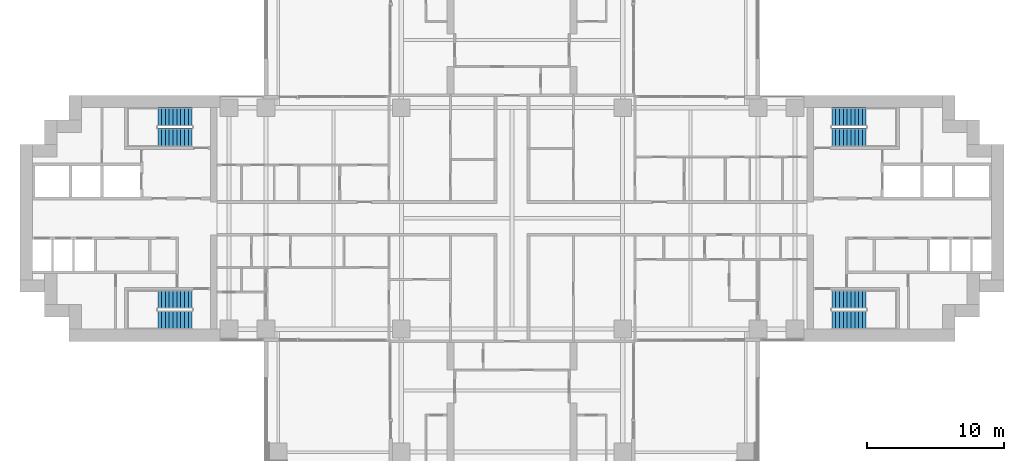
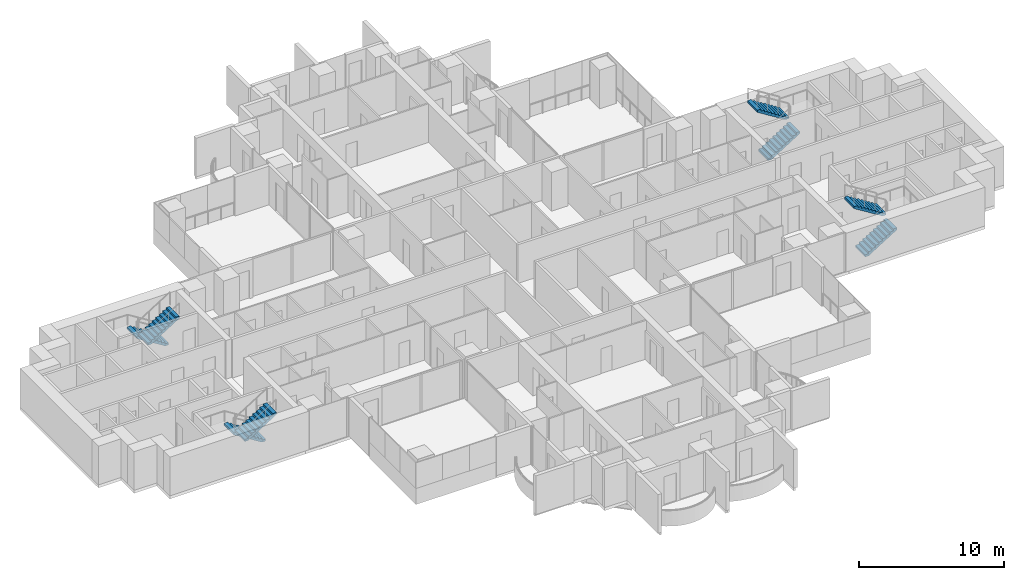
# One storey, part 17 of 21: 8 stair flights, 4 elements without a shape of their own.
"""IFC4 building model written with IfcOpenShell, lengths in metres."""

from ifc_helpers import new_model, si_unit, direction, frame, origin, place, context, subcontext, project, spatial, polyline, outline, extrude, material, type_object, element, aggregate, save


model = new_model("IFC4")

# Units and contexts
model_context = context("Model", 3, precision=1e-05, world=origin(), true_north=direction((0.0, 1.0)))
body_context = subcontext(model_context, "Body", "Model", "MODEL_VIEW")
ifc_project = project(units=[si_unit("LENGTHUNIT", "METRE"), si_unit("AREAUNIT", "SQUARE_METRE"), si_unit("VOLUMEUNIT", "CUBIC_METRE"), si_unit("PLANEANGLEUNIT", "RADIAN"), si_unit("MASSUNIT", "GRAM", prefix="KILO")], contexts=[model_context])

# Site, building, storey
site_placement = place(None, origin())
site = spatial("IfcSite", under=ifc_project, at=site_placement, CompositionType="ELEMENT")
building_placement = place(site_placement, origin())
building = spatial("IfcBuilding", under=site, at=building_placement, Name="Perihelion Cross Residences", CompositionType="ELEMENT")
storey_placement = place(building_placement, frame((0.0, 0.0, 64.5)))
storey = spatial("IfcBuildingStorey", under=building, at=storey_placement, Name="L13", CompositionType="ELEMENT", Elevation=64.5)

# Stair, stair flights
ifc_material_1 = material(Name="Concrete C40/50", Category="concrete")
stair_type = type_object("IfcStairType", Name="Exit stair, half-turn", PredefinedType="HALF_TURN_STAIR", material=ifc_material_1)
stair_1_placement = place(storey_placement, origin())
stair_1 = element("IfcStair", 1, at=stair_1_placement, inside=storey, type_object=stair_type, Name="L13 East core exit stair 1", PredefinedType="HALF_TURN_STAIR")
ifc_material_2 = material(Name="Concrete C40/50", Category="concrete")
stair_flight_type = type_object("IfcStairFlightType", Name="Exit stair flight", PredefinedType="STRAIGHT", material=ifc_material_2)
stair_flight_1_placement = place(storey_placement, frame((23.39990234375, 5.925048828125, 0.0), z_axis=(0.0, 0.0, 1.0), x_axis=(1.0, 0.0, 0.0)))
stair_flight_1 = element("IfcStairFlight", 2, at=stair_flight_1_placement, type_object=stair_flight_type, Name="ST-E1 flight 1", NumberOfRisers=10, NumberOfTreads=9, PredefinedType="STRAIGHT", RiserHeight=0.175, TreadLength=0.28, context=body_context, shape_type="SweptSolid", body=[
    extrude(outline(polyline([(0.0, 0.0), (0.0, 0.175048828125), (0.280029296875, 0.175048828125), (0.280029296875, 0.35009765625), (0.56005859375, 0.35009765625), (0.56005859375, 0.52490234375), (0.840087890625, 0.52490234375), (0.840087890625, 0.699951171875), (1.1201171875, 0.699951171875), (1.1201171875, 0.875), (1.39990234375, 0.875), (1.39990234375, 1.050048828125), (1.679931640625, 1.050048828125), (1.679931640625, 1.22509765625), (1.9599609375, 1.22509765625), (1.9599609375, 1.39990234375), (2.239990234375, 1.39990234375), (2.239990234375, 1.574951171875), (2.52001953125, 1.574951171875), (2.52001953125, 1.75), (2.52001953125, 1.398193359375), (0.28271484375, 0.0), (0.0, 0.0)])), frame((0.0, 0.675048828125, 0.0), z_axis=(0.0, -1.0, 0.0), x_axis=(1.0, 0.0, 0.0)), (0.0, 0.0, 1.0), 1.35009765625),
])
stair_flight_2_placement = place(storey_placement, frame((25.919921875, 7.425048828125, 1.75), z_axis=(0.0, 0.0, 1.0), x_axis=(-1.0, 0.0, 0.0)))
stair_flight_2 = element("IfcStairFlight", 3, at=stair_flight_2_placement, type_object=stair_flight_type, Name="ST-E1 flight 2", NumberOfRisers=10, NumberOfTreads=9, PredefinedType="STRAIGHT", RiserHeight=0.175, TreadLength=0.28, context=body_context, shape_type="SweptSolid", body=[
    extrude(outline(polyline([(0.0, 0.0), (0.0, 0.175048828125), (0.280029296875, 0.175048828125), (0.280029296875, 0.35009765625), (0.56005859375, 0.35009765625), (0.56005859375, 0.52490234375), (0.840087890625, 0.52490234375), (0.840087890625, 0.699951171875), (1.1201171875, 0.699951171875), (1.1201171875, 0.875), (1.39990234375, 0.875), (1.39990234375, 1.050048828125), (1.679931640625, 1.050048828125), (1.679931640625, 1.22509765625), (1.9599609375, 1.22509765625), (1.9599609375, 1.39990234375), (2.239990234375, 1.39990234375), (2.239990234375, 1.574951171875), (2.52001953125, 1.574951171875), (2.52001953125, 1.75), (2.52001953125, 1.398193359375), (0.28271484375, 0.0), (0.0, 0.0)])), frame((0.0, 0.675048828125, 0.0), z_axis=(0.0, -1.0, 0.0), x_axis=(1.0, 0.0, 0.0)), (0.0, 0.0, 1.0), 1.35009765625),
])
aggregate(stair_1, [stair_flight_1, stair_flight_2])

stair_2_placement = place(storey_placement, origin())
stair_2 = element("IfcStair", 4, at=stair_2_placement, inside=storey, type_object=stair_type, Name="L13 East core exit stair 2", PredefinedType="HALF_TURN_STAIR")
stair_flight_3_placement = place(storey_placement, frame((23.39990234375, -7.425048828125, 0.0), z_axis=(0.0, 0.0, 1.0), x_axis=(1.0, 0.0, 0.0)))
stair_flight_3 = element("IfcStairFlight", 5, at=stair_flight_3_placement, type_object=stair_flight_type, Name="ST-E2 flight 1", NumberOfRisers=10, NumberOfTreads=9, PredefinedType="STRAIGHT", RiserHeight=0.175, TreadLength=0.28, context=body_context, shape_type="SweptSolid", body=[
    extrude(outline(polyline([(0.0, 0.0), (0.0, 0.175048828125), (0.280029296875, 0.175048828125), (0.280029296875, 0.35009765625), (0.56005859375, 0.35009765625), (0.56005859375, 0.52490234375), (0.840087890625, 0.52490234375), (0.840087890625, 0.699951171875), (1.1201171875, 0.699951171875), (1.1201171875, 0.875), (1.39990234375, 0.875), (1.39990234375, 1.050048828125), (1.679931640625, 1.050048828125), (1.679931640625, 1.22509765625), (1.9599609375, 1.22509765625), (1.9599609375, 1.39990234375), (2.239990234375, 1.39990234375), (2.239990234375, 1.574951171875), (2.52001953125, 1.574951171875), (2.52001953125, 1.75), (2.52001953125, 1.398193359375), (0.28271484375, 0.0), (0.0, 0.0)])), frame((0.0, 0.675048828125, 0.0), z_axis=(0.0, -1.0, 0.0), x_axis=(1.0, 0.0, 0.0)), (0.0, 0.0, 1.0), 1.35009765625),
])
stair_flight_4_placement = place(storey_placement, frame((25.919921875, -5.925048828125, 1.75), z_axis=(0.0, 0.0, 1.0), x_axis=(-1.0, 0.0, 0.0)))
stair_flight_4 = element("IfcStairFlight", 6, at=stair_flight_4_placement, type_object=stair_flight_type, Name="ST-E2 flight 2", NumberOfRisers=10, NumberOfTreads=9, PredefinedType="STRAIGHT", RiserHeight=0.175, TreadLength=0.28, context=body_context, shape_type="SweptSolid", body=[
    extrude(outline(polyline([(0.0, 0.0), (0.0, 0.175048828125), (0.280029296875, 0.175048828125), (0.280029296875, 0.35009765625), (0.56005859375, 0.35009765625), (0.56005859375, 0.52490234375), (0.840087890625, 0.52490234375), (0.840087890625, 0.699951171875), (1.1201171875, 0.699951171875), (1.1201171875, 0.875), (1.39990234375, 0.875), (1.39990234375, 1.050048828125), (1.679931640625, 1.050048828125), (1.679931640625, 1.22509765625), (1.9599609375, 1.22509765625), (1.9599609375, 1.39990234375), (2.239990234375, 1.39990234375), (2.239990234375, 1.574951171875), (2.52001953125, 1.574951171875), (2.52001953125, 1.75), (2.52001953125, 1.398193359375), (0.28271484375, 0.0), (0.0, 0.0)])), frame((0.0, 0.675048828125, 0.0), z_axis=(0.0, -1.0, 0.0), x_axis=(1.0, 0.0, 0.0)), (0.0, 0.0, 1.0), 1.35009765625),
])
aggregate(stair_2, [stair_flight_3, stair_flight_4])

stair_3_placement = place(storey_placement, origin())
stair_3 = element("IfcStair", 7, at=stair_3_placement, inside=storey, type_object=stair_type, Name="L13 West core exit stair 1", PredefinedType="HALF_TURN_STAIR")
stair_flight_5_placement = place(storey_placement, frame((-23.39990234375, 7.425048828125, 0.0), z_axis=(0.0, 0.0, 1.0), x_axis=(-1.0, 0.0, 0.0)))
stair_flight_5 = element("IfcStairFlight", 8, at=stair_flight_5_placement, type_object=stair_flight_type, Name="ST-W1 flight 1", NumberOfRisers=10, NumberOfTreads=9, PredefinedType="STRAIGHT", RiserHeight=0.175, TreadLength=0.28, context=body_context, shape_type="SweptSolid", body=[
    extrude(outline(polyline([(0.0, 0.0), (0.0, 0.175048828125), (0.280029296875, 0.175048828125), (0.280029296875, 0.35009765625), (0.56005859375, 0.35009765625), (0.56005859375, 0.52490234375), (0.840087890625, 0.52490234375), (0.840087890625, 0.699951171875), (1.1201171875, 0.699951171875), (1.1201171875, 0.875), (1.39990234375, 0.875), (1.39990234375, 1.050048828125), (1.679931640625, 1.050048828125), (1.679931640625, 1.22509765625), (1.9599609375, 1.22509765625), (1.9599609375, 1.39990234375), (2.239990234375, 1.39990234375), (2.239990234375, 1.574951171875), (2.52001953125, 1.574951171875), (2.52001953125, 1.75), (2.52001953125, 1.398193359375), (0.28271484375, 0.0), (0.0, 0.0)])), frame((0.0, 0.675048828125, 0.0), z_axis=(0.0, -1.0, 0.0), x_axis=(1.0, 0.0, 0.0)), (0.0, 0.0, 1.0), 1.35009765625),
])
stair_flight_6_placement = place(storey_placement, frame((-25.919921875, 5.925048828125, 1.75), z_axis=(0.0, 0.0, 1.0), x_axis=(1.0, 0.0, 0.0)))
stair_flight_6 = element("IfcStairFlight", 9, at=stair_flight_6_placement, type_object=stair_flight_type, Name="ST-W1 flight 2", NumberOfRisers=10, NumberOfTreads=9, PredefinedType="STRAIGHT", RiserHeight=0.175, TreadLength=0.28, context=body_context, shape_type="SweptSolid", body=[
    extrude(outline(polyline([(0.0, 0.0), (0.0, 0.175048828125), (0.280029296875, 0.175048828125), (0.280029296875, 0.35009765625), (0.56005859375, 0.35009765625), (0.56005859375, 0.52490234375), (0.840087890625, 0.52490234375), (0.840087890625, 0.699951171875), (1.1201171875, 0.699951171875), (1.1201171875, 0.875), (1.39990234375, 0.875), (1.39990234375, 1.050048828125), (1.679931640625, 1.050048828125), (1.679931640625, 1.22509765625), (1.9599609375, 1.22509765625), (1.9599609375, 1.39990234375), (2.239990234375, 1.39990234375), (2.239990234375, 1.574951171875), (2.52001953125, 1.574951171875), (2.52001953125, 1.75), (2.52001953125, 1.398193359375), (0.28271484375, 0.0), (0.0, 0.0)])), frame((0.0, 0.675048828125, 0.0), z_axis=(0.0, -1.0, 0.0), x_axis=(1.0, 0.0, 0.0)), (0.0, 0.0, 1.0), 1.35009765625),
])
aggregate(stair_3, [stair_flight_5, stair_flight_6])

stair_4_placement = place(storey_placement, origin())
stair_4 = element("IfcStair", 10, at=stair_4_placement, inside=storey, type_object=stair_type, Name="L13 West core exit stair 2", PredefinedType="HALF_TURN_STAIR")
stair_flight_7_placement = place(storey_placement, frame((-23.39990234375, -5.925048828125, 0.0), z_axis=(0.0, 0.0, 1.0), x_axis=(-1.0, 0.0, 0.0)))
stair_flight_7 = element("IfcStairFlight", 11, at=stair_flight_7_placement, type_object=stair_flight_type, Name="ST-W2 flight 1", NumberOfRisers=10, NumberOfTreads=9, PredefinedType="STRAIGHT", RiserHeight=0.175, TreadLength=0.28, context=body_context, shape_type="SweptSolid", body=[
    extrude(outline(polyline([(0.0, 0.0), (0.0, 0.175048828125), (0.280029296875, 0.175048828125), (0.280029296875, 0.35009765625), (0.56005859375, 0.35009765625), (0.56005859375, 0.52490234375), (0.840087890625, 0.52490234375), (0.840087890625, 0.699951171875), (1.1201171875, 0.699951171875), (1.1201171875, 0.875), (1.39990234375, 0.875), (1.39990234375, 1.050048828125), (1.679931640625, 1.050048828125), (1.679931640625, 1.22509765625), (1.9599609375, 1.22509765625), (1.9599609375, 1.39990234375), (2.239990234375, 1.39990234375), (2.239990234375, 1.574951171875), (2.52001953125, 1.574951171875), (2.52001953125, 1.75), (2.52001953125, 1.398193359375), (0.28271484375, 0.0), (0.0, 0.0)])), frame((0.0, 0.675048828125, 0.0), z_axis=(0.0, -1.0, 0.0), x_axis=(1.0, 0.0, 0.0)), (0.0, 0.0, 1.0), 1.35009765625),
])
stair_flight_8_placement = place(storey_placement, frame((-25.919921875, -7.425048828125, 1.75), z_axis=(0.0, 0.0, 1.0), x_axis=(1.0, 0.0, 0.0)))
stair_flight_8 = element("IfcStairFlight", 12, at=stair_flight_8_placement, type_object=stair_flight_type, Name="ST-W2 flight 2", NumberOfRisers=10, NumberOfTreads=9, PredefinedType="STRAIGHT", RiserHeight=0.175, TreadLength=0.28, context=body_context, shape_type="SweptSolid", body=[
    extrude(outline(polyline([(0.0, 0.0), (0.0, 0.175048828125), (0.280029296875, 0.175048828125), (0.280029296875, 0.35009765625), (0.56005859375, 0.35009765625), (0.56005859375, 0.52490234375), (0.840087890625, 0.52490234375), (0.840087890625, 0.699951171875), (1.1201171875, 0.699951171875), (1.1201171875, 0.875), (1.39990234375, 0.875), (1.39990234375, 1.050048828125), (1.679931640625, 1.050048828125), (1.679931640625, 1.22509765625), (1.9599609375, 1.22509765625), (1.9599609375, 1.39990234375), (2.239990234375, 1.39990234375), (2.239990234375, 1.574951171875), (2.52001953125, 1.574951171875), (2.52001953125, 1.75), (2.52001953125, 1.398193359375), (0.28271484375, 0.0), (0.0, 0.0)])), frame((0.0, 0.675048828125, 0.0), z_axis=(0.0, -1.0, 0.0), x_axis=(1.0, 0.0, 0.0)), (0.0, 0.0, 1.0), 1.35009765625),
])
aggregate(stair_4, [stair_flight_7, stair_flight_8])

save(model, "model.ifc")
